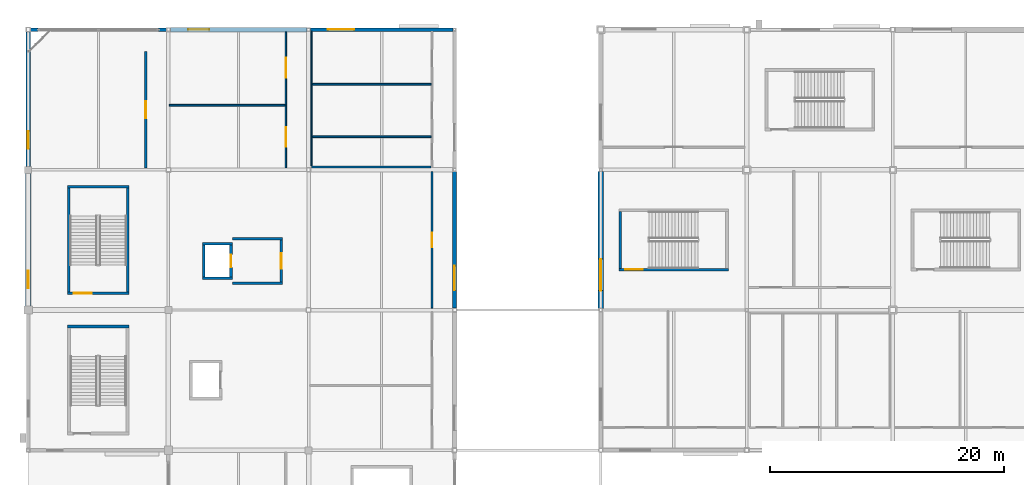
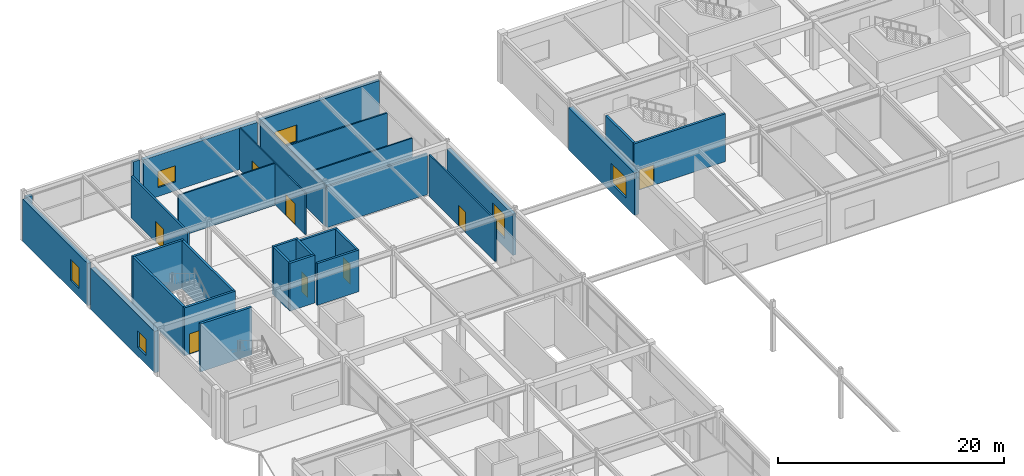
# One storey, part 80 of 105: 30 walls, 8 doors, 6 windows, 14 openings.
"""IFC4 building model written with IfcOpenShell, lengths in metres."""

import ifcopenshell
import ifcopenshell.guid

model = None  # the IFC model being written
_history = None  # IfcOwnerHistory: only IFC2X3 demands one
_inside = {}  # id of a spatial element -> (the spatial element, [elements in it])
_under = {}  # id of a project, library or spatial element -> (it, [spatial elements below it])
_declared = {}  # id of a project -> (the project, [libraries it declares])
_typed = {}  # id of a type object -> (the type object, [elements of that type])
_made_of = {}  # id of a material, layer set ... -> (it, [elements and type objects made of it])


def new_model(schema):
    """Start an empty IFC model of exactly this schema.

    Asked for "IFC4X3", IfcOpenShell would pick the latest addendum, in which some entities
    have other attributes; the version numbers below select the first issue.
    IFC2X3 requires an IfcOwnerHistory on every rooted entity: one is made here for all.
    """
    global model, _history
    if schema == "IFC4X3":
        model = ifcopenshell.file(schema_version=(4, 3, 0, 0))
    else:
        model = ifcopenshell.file(schema=schema)
    _inside.clear()
    _under.clear()
    _declared.clear()
    _typed.clear()
    _made_of.clear()
    _history = None
    if model.schema == "IFC2X3":
        org = make("IfcOrganization", Name="unknown")
        user = make(
            "IfcPersonAndOrganization",
            ThePerson=make("IfcPerson", FamilyName="unknown"),
            TheOrganization=org,
        )
        app = make(
            "IfcApplication",
            ApplicationDeveloper=org,
            Version="unknown",
            ApplicationFullName="unknown",
            ApplicationIdentifier="unknown",
        )
        _history = make(
            "IfcOwnerHistory",
            OwningUser=user,
            OwningApplication=app,
            ChangeAction="ADDED",
            CreationDate=0,
        )
    return model


def make(cls, **values):
    """One entity of the class cls with the attributes given. An attribute that is None is left unset."""
    return model.create_entity(
        cls, **{name: value for name, value in values.items() if value is not None}
    )


def rooted(cls, **values):
    """An entity with a GlobalId (a new one), such as an element, a storey or a relation."""
    return make(cls, GlobalId=ifcopenshell.guid.new(), OwnerHistory=_history, **values)


def si_unit(unit_type, name, prefix=None):
    """IfcSIUnit, for example si_unit("LENGTHUNIT", "METRE", prefix="MILLI")."""
    return make("IfcSIUnit", UnitType=unit_type, Prefix=prefix, Name=name)


def assignment(units):
    """IfcUnitAssignment: the units of a project."""
    return None if units is None else make("IfcUnitAssignment", Units=units)


def point(xyz):
    """IfcCartesianPoint."""
    return None if xyz is None else make("IfcCartesianPoint", Coordinates=xyz)


def direction(xyz):
    """IfcDirection."""
    return None if xyz is None else make("IfcDirection", DirectionRatios=xyz)


def frame(location, z_axis=None, x_axis=None):
    """IfcAxis2Placement3D, a coordinate frame: its origin and axes. An axis left out is left unset."""
    return make(
        "IfcAxis2Placement3D",
        Location=point(location),
        Axis=direction(z_axis),
        RefDirection=direction(x_axis),
    )


def frame_2d(location, x_axis=None):
    """IfcAxis2Placement2D, a coordinate frame in the plane: its origin and x axis."""
    return make(
        "IfcAxis2Placement2D", Location=point(location), RefDirection=direction(x_axis)
    )


def origin():
    """The frame at (0, 0, 0) with its axes left unset."""
    return frame((0.0, 0.0, 0.0))


def place(relative_to, where):
    """IfcLocalPlacement: puts the frame where relative to a parent placement (None: the world)."""
    return make(
        "IfcLocalPlacement", PlacementRelTo=relative_to, RelativePlacement=where
    )


def context(
    kind, dimensions, precision=None, world=None, true_north=None, identifier=None
):
    """IfcGeometricRepresentationContext, for example the 3D "Model" context."""
    return make(
        "IfcGeometricRepresentationContext",
        ContextIdentifier=identifier,
        ContextType=kind,
        CoordinateSpaceDimension=dimensions,
        Precision=precision,
        WorldCoordinateSystem=world,
        TrueNorth=true_north,
    )


def subcontext(parent, identifier, kind, view, scale=None):
    """IfcGeometricRepresentationSubContext, for example "Body" below "Model"."""
    return make(
        "IfcGeometricRepresentationSubContext",
        ContextIdentifier=identifier,
        ContextType=kind,
        ParentContext=parent,
        TargetScale=scale,
        TargetView=view,
    )


def project(units=None, contexts=None):
    """IfcProject with its units and contexts."""
    return rooted(
        "IfcProject",
        Name="project",
        RepresentationContexts=contexts,
        UnitsInContext=assignment(units),
    )


def spatial(cls, under=None, at=None, **own):
    """A site, building, storey or space (cls), placed at a placement, below another one or the project."""
    s = rooted(cls, ObjectPlacement=at, **own)
    if under is not None:
        _under.setdefault(under.id(), (under, []))[1].append(s)
    return s


def profile(cls, at=None, kind="AREA", **sizes):
    """A parametric profile (cls). Its sizes go by their IFC names, for example OverallWidth=200.0."""
    return make(cls, ProfileType=kind, Position=at, **sizes)


def rectangle(**sizes):
    """IfcRectangleProfileDef."""
    return profile("IfcRectangleProfileDef", **sizes)


def extrude(swept, where, along, depth):
    """IfcExtrudedAreaSolid: the profile swept, set in the frame where, extruded along a direction by depth."""
    return make(
        "IfcExtrudedAreaSolid",
        SweptArea=swept,
        Position=where,
        ExtrudedDirection=direction(along),
        Depth=depth,
    )


def shape(context_of_items, identifier, shape_type, items):
    """IfcShapeRepresentation: the items that make up one representation, for example the "Body"."""
    return make(
        "IfcShapeRepresentation",
        ContextOfItems=context_of_items,
        RepresentationIdentifier=identifier,
        RepresentationType=shape_type,
        Items=items,
    )


def material(Name=None, Category=None):
    """IfcMaterial."""
    return make("IfcMaterial", Name=Name, Category=Category)


def layer(
    of_material, thickness, ventilated=None, Name=None, Category=None, Priority=None
):
    """IfcMaterialLayer: one layer of a wall or slab, of a material (None: an air gap)."""
    return make(
        "IfcMaterialLayer",
        Material=of_material,
        LayerThickness=thickness,
        IsVentilated=ventilated,
        Name=Name,
        Category=Category,
        Priority=Priority,
    )


def layer_set(layers, Name=None):
    """IfcMaterialLayerSet."""
    return make("IfcMaterialLayerSet", MaterialLayers=layers, LayerSetName=Name)


def made_of(thing, what):
    """Note that an element or type object is made of a material, layer set ...; save() writes the relation."""
    if what is not None:
        _made_of.setdefault(what.id(), (what, []))[1].append(thing)
    return thing


def type_object(cls, material=None, **own):
    """A type object (cls), such as IfcWallType, which elements share."""
    return made_of(rooted(cls, **own), material)


def element(
    cls,
    number,
    at=None,
    inside=None,
    cuts=None,
    type_object=None,
    material=None,
    context=None,
    identifier="Body",
    shape_type=None,
    held_by="IfcProductDefinitionShape",
    body=None,
    shapes=None,
    **own,
):
    """One element of the class cls, such as IfcWall. Its Tag is "e" and its number.

    at: its placement. inside: the storey or other place that contains it. cuts: it is an
    opening in that element (IfcRelVoidsElement). A single representation is given by context,
    identifier, shape_type and body (its items); several are given by shapes. held_by: the class
    of the entity that holds the representations. save() writes the other relations.
    """
    e = rooted(cls, Tag="e%d" % number, ObjectPlacement=at, **own)
    if body is not None:
        shapes = [shape(context, identifier, shape_type, body)]
    if shapes is not None:
        e.Representation = make(held_by, Representations=shapes)
    if inside is not None:
        _inside.setdefault(inside.id(), (inside, []))[1].append(e)
    if cuts is not None:
        rooted(
            "IfcRelVoidsElement", RelatingBuildingElement=cuts, RelatedOpeningElement=e
        )
    if type_object is not None:
        _typed.setdefault(type_object.id(), (type_object, []))[1].append(e)
    return made_of(e, material)


def fill(opening, filler):
    """IfcRelFillsElement: the door or window that sits in an opening."""
    return rooted(
        "IfcRelFillsElement",
        RelatingOpeningElement=opening,
        RelatedBuildingElement=filler,
    )


def aggregate(whole, parts):
    """IfcRelAggregates: a whole, such as a stair, and the parts it consists of."""
    return rooted("IfcRelAggregates", RelatingObject=whole, RelatedObjects=parts)


def save(model, path):
    """Write the relations noted so far, then the file.

    IfcRelAggregates (storeys below a building ...), IfcRelContainedInSpatialStructure (elements
    in a storey), IfcRelDefinesByType, IfcRelAssociatesMaterial and IfcRelDeclares: one each for
    every whole, place, type object, material and project.
    """
    for whole, parts in _under.values():
        aggregate(whole, parts)
    for where, things in _inside.values():
        rooted(
            "IfcRelContainedInSpatialStructure",
            RelatedElements=things,
            RelatingStructure=where,
        )
    for kind, things in _typed.values():
        rooted("IfcRelDefinesByType", RelatedObjects=things, RelatingType=kind)
    for what, things in _made_of.values():
        rooted("IfcRelAssociatesMaterial", RelatedObjects=things, RelatingMaterial=what)
    for by, libraries in _declared.values():
        rooted("IfcRelDeclares", RelatingContext=by, RelatedDefinitions=libraries)
    model.write(path)


model = new_model("IFC4")

# Units and contexts
model_context = context("Model", 3, precision=1e-05, world=origin(), true_north=direction((0.0, 1.0)))
body_context = subcontext(model_context, "Body", "Model", "MODEL_VIEW")
ifc_project = project(units=[si_unit("LENGTHUNIT", "METRE"), si_unit("AREAUNIT", "SQUARE_METRE"), si_unit("VOLUMEUNIT", "CUBIC_METRE"), si_unit("PLANEANGLEUNIT", "RADIAN"), si_unit("MASSUNIT", "GRAM", prefix="KILO")], contexts=[model_context])

# Site, building, storey
site_placement = place(None, origin())
site = spatial("IfcSite", under=ifc_project, at=site_placement, CompositionType="ELEMENT")
building_placement = place(site_placement, origin())
building = spatial("IfcBuilding", under=site, at=building_placement, Name="Kazenohara Klinker Stadium", CompositionType="ELEMENT")
storey_placement = place(building_placement, frame((0.0, 0.0, 20.39990234375)))
storey = spatial("IfcBuildingStorey", under=building, at=storey_placement, Name="L04", CompositionType="ELEMENT", Elevation=20.39990234375)

# Wall, opening, door
ifc_material_1 = material(Name="Concrete C40/50", Category="concrete")
ifc_layer_1 = layer(ifc_material_1, 0.22998046875)
ifc_layer_set_1 = layer_set([ifc_layer_1], Name="Concrete C40/50")
wall_type_1 = type_object("IfcWallType", Name="WAL-CORE-230", PredefinedType="SHEAR", material=ifc_layer_set_1)
wall_1_placement = place(storey_placement, frame((3.3701171875, 145.43505859375, 0.0), z_axis=(0.0, 0.0, 1.0), x_axis=(1.0, 0.0, 0.0)))
wall_1 = element("IfcWall", 1, at=wall_1_placement, inside=storey, type_object=wall_type_1, Name="Stairwell shear wall ST06 L04 South", PredefinedType="SHEAR", context=body_context, shape_type="SweptSolid", body=[
    extrude(rectangle(XDim=5.259765625, YDim=0.22998046875, at=frame_2d((2.6298828125, 0.0))), origin(), (0.0, 0.0, 1.0), 5.18017578125),
])
opening_1_placement = place(wall_1_placement, frame((0.550048828125, 0.0, 0.0)))
opening_1 = element("IfcOpeningElement", 2, at=opening_1_placement, cuts=wall_1, Name="Opening SD02", PredefinedType="OPENING", context=body_context, shape_type="SweptSolid", body=[
    extrude(rectangle(XDim=1.5, YDim=2.199951171875, at=frame_2d((0.75, 1.10009765625))), frame((0.0, 0.125, 0.0), z_axis=(0.0, -1.0, 0.0), x_axis=(1.0, 0.0, 0.0)), (0.0, 0.0, 1.0), 0.25),
])
ifc_material_2 = material(Name="Flush painted steel fire door leaf", Category="steel")
door_type_1 = type_object("IfcDoorType", Name="DR-STR-1500x2200", OperationType="NOTDEFINED", PredefinedType="DOOR", material=ifc_material_2)
door_1_placement = place(opening_1_placement, origin())
door_1 = element("IfcDoor", 3, at=door_1_placement, inside=storey, type_object=door_type_1, Name="Escape stairwell fire door ST06-L04", OperationType="SINGLE_SWING_LEFT", OverallHeight=2.199951171875, OverallWidth=1.5, PredefinedType="DOOR", context=body_context, shape_type="SweptSolid", body=[
    extrude(rectangle(XDim=1.5, YDim=2.199951171875, at=frame_2d((0.75, 1.10009765625))), frame((0.0, 0.02490234375, 0.0), z_axis=(0.0, -1.0, 0.0), x_axis=(1.0, 0.0, 0.0)), (0.0, 0.0, 1.0), 0.050048828125),
])
fill(opening_1, door_1)

# Walls
wall_2_placement = place(storey_placement, frame((3.3701171875, 154.56494140625, 0.0), z_axis=(0.0, 0.0, 1.0), x_axis=(1.0, 0.0, 0.0)))
element("IfcWall", 4, at=wall_2_placement, inside=storey, type_object=wall_type_1, Name="Stairwell shear wall ST06 L04 North", PredefinedType="SHEAR", context=body_context, shape_type="SweptSolid", body=[
    extrude(rectangle(XDim=5.259765625, YDim=0.22998046875, at=frame_2d((2.6298828125, 0.0))), origin(), (0.0, 0.0, 1.0), 5.18017578125),
])
for number, where, z_axis, x_axis, name in (
    (5, (3.485107421875, 145.550048828125, 0.0), (0.0, 0.0, 1.0), (0.0, 1.0, 0.0), "Stairwell shear wall ST06 L04 West"),
    (6, (8.514892578125, 145.550048828125, 0.0), (0.0, 0.0, 1.0), (0.0, 1.0, 0.0), "Stairwell shear wall ST06 L04 East"),
):
    element("IfcWall", number, at=place(storey_placement, frame(where, z_axis=z_axis, x_axis=x_axis)), inside=storey, type_object=wall_type_1, Name=name, PredefinedType="SHEAR", context=body_context, shape_type="SweptSolid", body=[
        extrude(rectangle(XDim=8.89990234375, YDim=0.22998046875, at=frame_2d((4.449951171875, 0.0))), origin(), (0.0, 0.0, 1.0), 5.18017578125),
    ])

# Wall, opening, door
wall_3_placement = place(storey_placement, frame((50.570068359375, 147.455078125, 0.0), z_axis=(0.0, 0.0, 1.0), x_axis=(1.0, 0.0, 0.0)))
wall_3 = element("IfcWall", 7, at=wall_3_placement, inside=storey, type_object=wall_type_1, Name="Stairwell shear wall ST08 L04 South", PredefinedType="SHEAR", context=body_context, shape_type="SweptSolid", body=[
    extrude(rectangle(XDim=9.35986328125, YDim=0.22998046875, at=frame_2d((4.679931640625, 0.0))), origin(), (0.0, 0.0, 1.0), 5.18017578125),
])
opening_2_placement = place(wall_3_placement, frame((0.550048828125, 0.0, 0.0)))
opening_2 = element("IfcOpeningElement", 8, at=opening_2_placement, cuts=wall_3, Name="Opening SD02", PredefinedType="OPENING", context=body_context, shape_type="SweptSolid", body=[
    extrude(rectangle(XDim=1.5, YDim=2.199951171875, at=frame_2d((0.75, 1.10009765625))), frame((0.0, 0.125, 0.0), z_axis=(0.0, -1.0, 0.0), x_axis=(1.0, 0.0, 0.0)), (0.0, 0.0, 1.0), 0.25),
])
door_2_placement = place(opening_2_placement, origin())
door_2 = element("IfcDoor", 9, at=door_2_placement, inside=storey, type_object=door_type_1, Name="Escape stairwell fire door ST08-L04", OperationType="SINGLE_SWING_LEFT", OverallHeight=2.199951171875, OverallWidth=1.5, PredefinedType="DOOR", context=body_context, shape_type="SweptSolid", body=[
    extrude(rectangle(XDim=1.5, YDim=2.199951171875, at=frame_2d((0.75, 1.10009765625))), frame((0.0, 0.02490234375, 0.0), z_axis=(0.0, -1.0, 0.0), x_axis=(1.0, 0.0, 0.0)), (0.0, 0.0, 1.0), 0.050048828125),
])
fill(opening_2, door_2)

# Walls
wall_4_placement = place(storey_placement, frame((50.68505859375, 147.570068359375, 0.0), z_axis=(0.0, 0.0, 1.0), x_axis=(0.0, 1.0, 0.0)))
element("IfcWall", 10, at=wall_4_placement, inside=storey, type_object=wall_type_1, Name="Stairwell shear wall ST08 L04 West", PredefinedType="SHEAR", context=body_context, shape_type="SweptSolid", body=[
    extrude(rectangle(XDim=4.85986328125, YDim=0.22998046875, at=frame_2d((2.429931640625, 0.0))), origin(), (0.0, 0.0, 1.0), 5.18017578125),
])
for number, where, z_axis, x_axis, name in (
    (11, (14.919921875, 146.735107421875, 0.0), (0.0, 0.0, 1.0), (1.0, 0.0, 0.0), "Elevator shaft wall LF03 L04 South"),
    (12, (14.919921875, 149.6650390625, 0.0), (0.0, 0.0, 1.0), (1.0, 0.0, 0.0), "Elevator shaft wall LF03 L04 North"),
):
    element("IfcWall", number, at=place(storey_placement, frame(where, z_axis=z_axis, x_axis=x_axis)), inside=storey, type_object=wall_type_1, Name=name, PredefinedType="SHEAR", context=body_context, shape_type="SweptSolid", body=[
        extrude(rectangle(XDim=2.56005859375, YDim=0.22998046875, at=frame_2d((1.280029296875, 0.0))), origin(), (0.0, 0.0, 1.0), 5.18017578125),
    ])
wall_5_placement = place(storey_placement, frame((15.034912109375, 146.85009765625, 0.0), z_axis=(0.0, 0.0, 1.0), x_axis=(0.0, 1.0, 0.0)))
element("IfcWall", 13, at=wall_5_placement, inside=storey, type_object=wall_type_1, Name="Elevator shaft wall LF03 L04 West", PredefinedType="SHEAR", context=body_context, shape_type="SweptSolid", body=[
    extrude(rectangle(XDim=2.699951171875, YDim=0.22998046875, at=frame_2d((1.35009765625, 0.0))), origin(), (0.0, 0.0, 1.0), 5.18017578125),
])

# Wall, opening, door
wall_6_placement = place(storey_placement, frame((17.364990234375, 146.85009765625, 0.0), z_axis=(0.0, 0.0, 1.0), x_axis=(0.0, 1.0, 0.0)))
wall_6 = element("IfcWall", 14, at=wall_6_placement, inside=storey, type_object=wall_type_1, Name="Elevator shaft wall LF03 L04 East", PredefinedType="SHEAR", context=body_context, shape_type="SweptSolid", body=[
    extrude(rectangle(XDim=2.699951171875, YDim=0.22998046875, at=frame_2d((1.35009765625, 0.0))), origin(), (0.0, 0.0, 1.0), 5.18017578125),
])
opening_3_placement = place(wall_6_placement, frame((0.800048828125, 0.0, 0.0)))
opening_3 = element("IfcOpeningElement", 15, at=opening_3_placement, cuts=wall_6, Name="Opening LD01", PredefinedType="OPENING", context=body_context, shape_type="SweptSolid", body=[
    extrude(rectangle(XDim=1.10009765625, YDim=2.14990234375, at=frame_2d((0.550048828125, 1.074951171875))), frame((0.0, 0.125, 0.0), z_axis=(0.0, -1.0, 0.0), x_axis=(1.0, 0.0, 0.0)), (0.0, 0.0, 1.0), 0.25),
])
ifc_material_3 = material(Name="Stainless steel fire-rated sliding landing door", Category="steel")
door_type_2 = type_object("IfcDoorType", Name="DR-LD01-1100x2150", OperationType="NOTDEFINED", PredefinedType="DOOR", material=ifc_material_3)
door_3_placement = place(opening_3_placement, origin())
door_3 = element("IfcDoor", 16, at=door_3_placement, inside=storey, type_object=door_type_2, Name="Elevator sliding landing door LF03-L04", OperationType="DOUBLE_DOOR_SLIDING", OverallHeight=2.14990234375, OverallWidth=1.10009765625, PredefinedType="DOOR", context=body_context, shape_type="SweptSolid", body=[
    extrude(rectangle(XDim=1.10009765625, YDim=2.14990234375, at=frame_2d((0.550048828125, 1.074951171875))), frame((0.0, 0.02490234375, 0.0), z_axis=(0.0, -1.0, 0.0), x_axis=(1.0, 0.0, 0.0)), (0.0, 0.0, 1.0), 0.050048828125),
])
fill(opening_3, door_3)

# Walls
ifc_layer_2 = layer(ifc_material_1, 0.25)
ifc_layer_set_2 = layer_set([ifc_layer_2], Name="Concrete C40/50")
wall_type_2 = type_object("IfcWallType", Name="WAL-CORE-250", PredefinedType="SHEAR", material=ifc_layer_set_2)
wall_7_placement = place(storey_placement, frame((3.360107421875, 142.574951171875, 0.0), z_axis=(0.0, 0.0, 1.0), x_axis=(1.0, 0.0, 0.0)))
element("IfcWall", 17, at=wall_7_placement, inside=storey, type_object=wall_type_2, Name="Stairwell shear wall ST05 L04 North", PredefinedType="SHEAR", context=body_context, shape_type="SweptSolid", body=[
    extrude(rectangle(XDim=5.27978515625, YDim=0.25, at=frame_2d((2.639892578125, 0.0))), origin(), (0.0, 0.0, 1.0), 5.18017578125),
])
ifc_material_4 = material(Name="Clinker brick masonry", Category="masonry")
ifc_layer_3 = layer(ifc_material_4, 0.31005859375)
ifc_layer_set_3 = layer_set([ifc_layer_3], Name="Clinker brick masonry")
wall_type_3 = type_object("IfcWallType", Name="WAL-EXT-CB310", PredefinedType="SOLIDWALL", material=ifc_layer_set_3)
wall_8_placement = place(storey_placement, frame((0.2041015625, 168.0, 0.0), z_axis=(0.0, 0.0, 1.0), x_axis=(1.0, 0.0, 0.0)))
element("IfcWall", 18, at=wall_8_placement, inside=storey, type_object=wall_type_3, Name="Clinker brick curtain-wall jamb pier L04 X0-14 A", PredefinedType="SOLIDWALL", context=body_context, shape_type="SweptSolid", body=[
    extrude(rectangle(XDim=0.64990234375, YDim=0.31005859375, at=frame_2d((0.324951171875, 0.0))), origin(), (0.0, 0.0, 1.0), 4.592041015625),
])
wall_9_placement = place(storey_placement, frame((11.1708984375, 168.0, 0.0), z_axis=(0.0, 0.0, 1.0), x_axis=(1.0, 0.0, 0.0)))
element("IfcWall", 19, at=wall_9_placement, inside=storey, type_object=wall_type_3, Name="Clinker brick curtain-wall jamb pier L04 X0-14 B", PredefinedType="SOLIDWALL", context=body_context, shape_type="SweptSolid", body=[
    extrude(rectangle(XDim=0.650146484375, YDim=0.31005859375, at=frame_2d((0.3251953125, 0.0))), origin(), (0.0, 0.0, 1.0), 4.592041015625),
])

# Wall, opening, window
wall_10_placement = place(storey_placement, frame((24.154052734375, 168.0, 0.0), z_axis=(0.0, 0.0, 1.0), x_axis=(1.0, 0.0, 0.0)))
wall_10 = element("IfcWall", 20, at=wall_10_placement, inside=storey, type_object=wall_type_3, Name="Clinker brick cavity wall EW05 L04 X2-14", PredefinedType="SOLIDWALL", context=body_context, shape_type="SweptSolid", body=[
    extrude(rectangle(XDim=12.217041015625, YDim=0.31005859375, at=frame_2d((6.1083984375, 0.0))), origin(), (0.0, 0.0, 1.0), 4.580078125),
])
opening_4_placement = place(wall_10_placement, frame((1.5, 0.0, 0.949951171875)))
opening_4 = element("IfcOpeningElement", 21, at=opening_4_placement, cuts=wall_10, Name="Opening W21", PredefinedType="OPENING", context=body_context, shape_type="SweptSolid", body=[
    extrude(rectangle(XDim=2.25, YDim=1.800048828125, at=frame_2d((1.125, 0.89990234375))), frame((0.0, 0.1650390625, 0.0), z_axis=(0.0, -1.0, 0.0), x_axis=(1.0, 0.0, 0.0)), (0.0, 0.0, 1.0), 0.330078125),
])
ifc_material_5 = material(Name="Dark bronze aluminium frame and triple glazing", Category="aluminium")
window_type_1 = type_object("IfcWindowType", Name="WIN-AS-21", PartitioningType="SINGLE_PANEL", PredefinedType="WINDOW", material=ifc_material_5)
window_1_placement = place(opening_4_placement, origin())
window_1 = element("IfcWindow", 22, at=window_1_placement, inside=storey, type_object=window_type_1, Name="Horizontal-mullion ladder window W21 L04 X2-14", OverallHeight=1.800048828125, OverallWidth=2.25, PartitioningType="SINGLE_PANEL", PredefinedType="WINDOW", context=body_context, shape_type="SweptSolid", body=[
    extrude(rectangle(XDim=2.25, YDim=1.800048828125, at=frame_2d((1.125, 0.89990234375))), frame((0.0, 0.030029296875, 0.0), z_axis=(0.0, -1.0, 0.0), x_axis=(1.0, 0.0, 0.0)), (0.0, 0.0, 1.0), 0.06005859375),
])
fill(opening_4, window_1)

ifc_layer_4 = layer(ifc_material_4, 0.340087890625)
ifc_layer_set_4 = layer_set([ifc_layer_4], Name="Clinker brick masonry")
wall_type_4 = type_object("IfcWallType", Name="WAL-EXT-CB340", PredefinedType="SOLIDWALL", material=ifc_layer_set_4)
wall_11_placement = place(storey_placement, frame((36.5, 144.178955078125, 0.0), z_axis=(0.0, 0.0, 1.0), x_axis=(0.0, 1.0, 0.0)))
wall_11 = element("IfcWall", 23, at=wall_11_placement, inside=storey, type_object=wall_type_4, Name="Clinker brick cavity wall EW04 L04 Y3-12", PredefinedType="SOLIDWALL", context=body_context, shape_type="SweptSolid", body=[
    extrude(rectangle(XDim=11.6669921875, YDim=0.340087890625, at=frame_2d((5.83349609375, 0.0))), origin(), (0.0, 0.0, 1.0), 4.47998046875),
])
opening_5_placement = place(wall_11_placement, frame((1.5, 0.0, 0.949951171875)))
opening_5 = element("IfcOpeningElement", 24, at=opening_5_placement, cuts=wall_11, Name="Opening W20", PredefinedType="OPENING", context=body_context, shape_type="SweptSolid", body=[
    extrude(rectangle(XDim=2.10009765625, YDim=2.60009765625, at=frame_2d((1.050048828125, 1.300048828125))), frame((0.0, 0.18017578125, 0.0), z_axis=(0.0, -1.0, 0.0), x_axis=(1.0, 0.0, 0.0)), (0.0, 0.0, 1.0), 0.360107421875),
])
window_type_2 = type_object("IfcWindowType", Name="WIN-AS-20", PartitioningType="SINGLE_PANEL", PredefinedType="WINDOW", material=ifc_material_5)
window_2_placement = place(opening_5_placement, origin())
window_2 = element("IfcWindow", 25, at=window_2_placement, inside=storey, type_object=window_type_2, Name="Horizontal-mullion ladder window W20 L04 Y3-12", OverallHeight=2.60009765625, OverallWidth=2.10009765625, PartitioningType="SINGLE_PANEL", PredefinedType="WINDOW", context=body_context, shape_type="SweptSolid", body=[
    extrude(rectangle(XDim=2.10009765625, YDim=2.60009765625, at=frame_2d((1.050048828125, 1.300048828125))), frame((0.0, 0.030029296875, 0.0), z_axis=(0.0, -1.0, 0.0), x_axis=(1.0, 0.0, 0.0)), (0.0, 0.0, 1.0), 0.06005859375),
])
fill(opening_5, window_2)

ifc_layer_5 = layer(ifc_material_4, 0.3701171875)
ifc_layer_set_5 = layer_set([ifc_layer_5], Name="Clinker brick masonry")
wall_type_5 = type_object("IfcWallType", Name="WAL-EXT-CB370", PredefinedType="SOLIDWALL", material=ifc_layer_set_5)
wall_12_placement = place(storey_placement, frame((0.0, 156.303955078125, 0.0), z_axis=(0.0, 0.0, 1.0), x_axis=(0.0, 1.0, 0.0)))
wall_12 = element("IfcWall", 26, at=wall_12_placement, inside=storey, type_object=wall_type_5, Name="Clinker brick cavity wall EW03 L04 Y0-13", PredefinedType="SOLIDWALL", context=body_context, shape_type="SweptSolid", body=[
    extrude(rectangle(XDim=11.491943359375, YDim=0.3701171875, at=frame_2d((5.74609375, 0.0))), origin(), (0.0, 0.0, 1.0), 4.580078125),
])
opening_6_placement = place(wall_12_placement, frame((1.5, 0.0, 0.949951171875)))
opening_6 = element("IfcOpeningElement", 27, at=opening_6_placement, cuts=wall_12, Name="Opening W10", PredefinedType="OPENING", context=body_context, shape_type="SweptSolid", body=[
    extrude(rectangle(XDim=1.5, YDim=2.25, at=frame_2d((0.75, 1.125))), frame((0.0, 0.195068359375, 0.0), z_axis=(0.0, -1.0, 0.0), x_axis=(1.0, 0.0, 0.0)), (0.0, 0.0, 1.0), 0.39013671875),
])
window_type_3 = type_object("IfcWindowType", Name="WIN-AS-10", PartitioningType="SINGLE_PANEL", PredefinedType="WINDOW", material=ifc_material_5)
window_3_placement = place(opening_6_placement, origin())
window_3 = element("IfcWindow", 28, at=window_3_placement, inside=storey, type_object=window_type_3, Name="Horizontal-mullion ladder window W10 L04 Y0-13", OverallHeight=2.25, OverallWidth=1.5, PartitioningType="SINGLE_PANEL", PredefinedType="WINDOW", context=body_context, shape_type="SweptSolid", body=[
    extrude(rectangle(XDim=1.5, YDim=2.25, at=frame_2d((0.75, 1.125))), frame((0.0, 0.030029296875, 0.0), z_axis=(0.0, -1.0, 0.0), x_axis=(1.0, 0.0, 0.0)), (0.0, 0.0, 1.0), 0.06005859375),
])
fill(opening_6, window_3)

wall_13_placement = place(storey_placement, frame((12.178955078125, 168.0, 0.0), z_axis=(0.0, 0.0, 1.0), x_axis=(1.0, 0.0, 0.0)))
wall_13 = element("IfcWall", 29, at=wall_13_placement, inside=storey, type_object=wall_type_5, Name="Clinker brick cavity wall EW03 L04 X1-14", PredefinedType="SOLIDWALL", context=body_context, shape_type="SweptSolid", body=[
    extrude(rectangle(XDim=11.6669921875, YDim=0.3701171875, at=frame_2d((5.83349609375, 0.0))), origin(), (0.0, 0.0, 1.0), 4.47998046875),
])
opening_7_placement = place(wall_13_placement, frame((1.5, 0.0, 0.949951171875)))
opening_7 = element("IfcOpeningElement", 30, at=opening_7_placement, cuts=wall_13, Name="Opening W13", PredefinedType="OPENING", context=body_context, shape_type="SweptSolid", body=[
    extrude(rectangle(XDim=1.800048828125, YDim=1.75, at=frame_2d((0.89990234375, 0.875))), frame((0.0, 0.195068359375, 0.0), z_axis=(0.0, -1.0, 0.0), x_axis=(1.0, 0.0, 0.0)), (0.0, 0.0, 1.0), 0.39013671875),
])
window_type_4 = type_object("IfcWindowType", Name="WIN-AS-13", PartitioningType="SINGLE_PANEL", PredefinedType="WINDOW", material=ifc_material_5)
window_4_placement = place(opening_7_placement, origin())
window_4 = element("IfcWindow", 31, at=window_4_placement, inside=storey, type_object=window_type_4, Name="Horizontal-mullion ladder window W13 L04 X1-14", OverallHeight=1.75, OverallWidth=1.800048828125, PartitioningType="SINGLE_PANEL", PredefinedType="WINDOW", context=body_context, shape_type="SweptSolid", body=[
    extrude(rectangle(XDim=1.800048828125, YDim=1.75, at=frame_2d((0.89990234375, 0.875))), frame((0.0, 0.030029296875, 0.0), z_axis=(0.0, -1.0, 0.0), x_axis=(1.0, 0.0, 0.0)), (0.0, 0.0, 1.0), 0.06005859375),
])
fill(opening_7, window_4)

ifc_layer_6 = layer(ifc_material_4, 0.449951171875)
ifc_layer_set_6 = layer_set([ifc_layer_6], Name="Clinker brick masonry")
wall_type_6 = type_object("IfcWallType", Name="WAL-EXT-CB450", PredefinedType="SOLIDWALL", material=ifc_layer_set_6)
wall_14_placement = place(storey_placement, frame((0.0, 144.35400390625, 0.0), z_axis=(0.0, 0.0, 1.0), x_axis=(0.0, 1.0, 0.0)))
wall_14 = element("IfcWall", 32, at=wall_14_placement, inside=storey, type_object=wall_type_6, Name="Clinker brick cavity wall EW01 L04 Y0-12", PredefinedType="SOLIDWALL", context=body_context, shape_type="SweptSolid", body=[
    extrude(rectangle(XDim=11.342041015625, YDim=0.449951171875, at=frame_2d((5.6708984375, 0.0))), origin(), (0.0, 0.0, 1.0), 4.47998046875),
])
opening_8_placement = place(wall_14_placement, frame((1.5, 0.0, 0.949951171875)))
opening_8 = element("IfcOpeningElement", 33, at=opening_8_placement, cuts=wall_14, Name="Opening W09", PredefinedType="OPENING", context=body_context, shape_type="SweptSolid", body=[
    extrude(rectangle(XDim=1.5, YDim=1.800048828125, at=frame_2d((0.75, 0.89990234375))), frame((0.0, 0.23486328125, 0.0), z_axis=(0.0, -1.0, 0.0), x_axis=(1.0, 0.0, 0.0)), (0.0, 0.0, 1.0), 0.469970703125),
])
window_type_5 = type_object("IfcWindowType", Name="WIN-AS-09", PartitioningType="SINGLE_PANEL", PredefinedType="WINDOW", material=ifc_material_5)
window_5_placement = place(opening_8_placement, origin())
window_5 = element("IfcWindow", 34, at=window_5_placement, inside=storey, type_object=window_type_5, Name="Horizontal-mullion ladder window W09 L04 Y0-12", OverallHeight=1.800048828125, OverallWidth=1.5, PartitioningType="SINGLE_PANEL", PredefinedType="WINDOW", context=body_context, shape_type="SweptSolid", body=[
    extrude(rectangle(XDim=1.5, YDim=1.800048828125, at=frame_2d((0.75, 0.89990234375))), frame((0.0, 0.030029296875, 0.0), z_axis=(0.0, -1.0, 0.0), x_axis=(1.0, 0.0, 0.0)), (0.0, 0.0, 1.0), 0.06005859375),
])
fill(opening_8, window_5)

wall_15_placement = place(storey_placement, frame((49.0, 144.154052734375, 0.0), z_axis=(0.0, 0.0, 1.0), x_axis=(0.0, 1.0, 0.0)))
wall_15 = element("IfcWall", 35, at=wall_15_placement, inside=storey, type_object=wall_type_6, Name="Clinker brick cavity wall EW01 L04 Y4-12", PredefinedType="SOLIDWALL", context=body_context, shape_type="SweptSolid", body=[
    extrude(rectangle(XDim=11.717041015625, YDim=0.449951171875, at=frame_2d((5.8583984375, 0.0))), origin(), (0.0, 0.0, 1.0), 4.580078125),
])
opening_9_placement = place(wall_15_placement, frame((1.5, 0.0, 0.949951171875)))
opening_9 = element("IfcOpeningElement", 36, at=opening_9_placement, cuts=wall_15, Name="Opening W28", PredefinedType="OPENING", context=body_context, shape_type="SweptSolid", body=[
    extrude(rectangle(XDim=2.699951171875, YDim=2.199951171875, at=frame_2d((1.35009765625, 1.10009765625))), frame((0.0, 0.23486328125, 0.0), z_axis=(0.0, -1.0, 0.0), x_axis=(1.0, 0.0, 0.0)), (0.0, 0.0, 1.0), 0.469970703125),
])
window_type_6 = type_object("IfcWindowType", Name="WIN-AS-28", PartitioningType="SINGLE_PANEL", PredefinedType="WINDOW", material=ifc_material_5)
window_6_placement = place(opening_9_placement, origin())
window_6 = element("IfcWindow", 37, at=window_6_placement, inside=storey, type_object=window_type_6, Name="Horizontal-mullion ladder window W28 L04 Y4-12", OverallHeight=2.199951171875, OverallWidth=2.699951171875, PartitioningType="SINGLE_PANEL", PredefinedType="WINDOW", context=body_context, shape_type="SweptSolid", body=[
    extrude(rectangle(XDim=2.699951171875, YDim=2.199951171875, at=frame_2d((1.35009765625, 1.10009765625))), frame((0.0, 0.030029296875, 0.0), z_axis=(0.0, -1.0, 0.0), x_axis=(1.0, 0.0, 0.0)), (0.0, 0.0, 1.0), 0.06005859375),
])
fill(opening_9, window_6)

# Walls
ifc_layer_7 = layer(ifc_material_1, 0.219970703125)
ifc_layer_set_7 = layer_set([ifc_layer_7], Name="Concrete C40/50")
wall_type_7 = type_object("IfcWallType", Name="WAL-INT-FF220", PredefinedType="SOLIDWALL", material=ifc_layer_set_7)
for number, where, z_axis, x_axis, name in (
    (38, (17.47998046875, 146.2900390625, 0.0), (0.0, 0.0, 1.0), (1.0, 0.0, 0.0), "Firefighting lobby wall LF03 L04 South"),
    (39, (17.47998046875, 150.110107421875, 0.0), (0.0, 0.0, 1.0), (1.0, 0.0, 0.0), "Firefighting lobby wall LF03 L04 North"),
):
    element("IfcWall", number, at=place(storey_placement, frame(where, z_axis=z_axis, x_axis=x_axis)), inside=storey, type_object=wall_type_7, Name=name, PredefinedType="SOLIDWALL", context=body_context, shape_type="SweptSolid", body=[
        extrude(rectangle(XDim=4.2900390625, YDim=0.219970703125, at=frame_2d((2.14501953125, 0.0))), origin(), (0.0, 0.0, 1.0), 4.52001953125),
    ])

# Wall, opening, door
wall_16_placement = place(storey_placement, frame((21.659912109375, 146.39990234375, 0.0), z_axis=(0.0, 0.0, 1.0), x_axis=(0.0, 1.0, 0.0)))
wall_16 = element("IfcWall", 40, at=wall_16_placement, inside=storey, type_object=wall_type_7, Name="Firefighting lobby front wall LF03 L04", PredefinedType="SOLIDWALL", context=body_context, shape_type="SweptSolid", body=[
    extrude(rectangle(XDim=3.60009765625, YDim=0.219970703125, at=frame_2d((1.800048828125, 0.0))), origin(), (0.0, 0.0, 1.0), 4.52001953125),
])
opening_10_placement = place(wall_16_placement, frame((1.14990234375, 0.0, 0.0)))
opening_10 = element("IfcOpeningElement", 41, at=opening_10_placement, cuts=wall_16, Name="Opening FD01", PredefinedType="OPENING", context=body_context, shape_type="SweptSolid", body=[
    extrude(rectangle(XDim=1.300048828125, YDim=2.14990234375, at=frame_2d((0.64990234375, 1.074951171875))), frame((0.0, 0.1201171875, 0.0), z_axis=(0.0, -1.0, 0.0), x_axis=(1.0, 0.0, 0.0)), (0.0, 0.0, 1.0), 0.239990234375),
])
ifc_material_6 = material(Name="Smoke-sealed steel fire lobby door", Category="steel")
door_type_3 = type_object("IfcDoorType", Name="DR-FFL-1300x2150", OperationType="NOTDEFINED", PredefinedType="DOOR", material=ifc_material_6)
door_4_placement = place(opening_10_placement, origin())
door_4 = element("IfcDoor", 42, at=door_4_placement, inside=storey, type_object=door_type_3, Name="Firefighting lobby smoke-sealed door LF03-L04", OperationType="SINGLE_SWING_RIGHT", OverallHeight=2.14990234375, OverallWidth=1.300048828125, PredefinedType="DOOR", context=body_context, shape_type="SweptSolid", body=[
    extrude(rectangle(XDim=1.300048828125, YDim=2.14990234375, at=frame_2d((0.64990234375, 1.074951171875))), frame((0.0, 0.02490234375, 0.0), z_axis=(0.0, -1.0, 0.0), x_axis=(1.0, 0.0, 0.0)), (0.0, 0.0, 1.0), 0.050048828125),
])
fill(opening_10, door_4)

# Wall
ifc_material_7 = material(Name="Fire-rated gypsum board on acoustic studs", Category="gypsum")
ifc_layer_8 = layer(ifc_material_7, 0.110107421875)
ifc_layer_set_8 = layer_set([ifc_layer_8], Name="Fire-rated gypsum board on acoustic studs")
wall_type_8 = type_object("IfcWallType", Name="WAL-INT-P110", PredefinedType="PARTITIONING", material=ifc_layer_set_8)
wall_17_placement = place(storey_placement, frame((24.239990234375, 156.340087890625, 0.0), z_axis=(0.0, 0.0, 1.0), x_axis=(0.0, 1.0, 0.0)))
element("IfcWall", 43, at=wall_17_placement, inside=storey, type_object=wall_type_8, Name="Interior partition wall PT01 SPC-L04-02-13-1-2", PredefinedType="PARTITIONING", context=body_context, shape_type="SweptSolid", body=[
    extrude(rectangle(XDim=11.5029296875, YDim=0.110107421875, at=frame_2d((5.75146484375, 0.0))), origin(), (0.0, 0.0, 1.0), 4.440185546875),
])

# Wall, openings, doors
ifc_layer_9 = layer(ifc_material_7, 0.1201171875)
ifc_layer_set_9 = layer_set([ifc_layer_9], Name="Fire-rated gypsum board on acoustic studs")
wall_type_9 = type_object("IfcWallType", Name="WAL-INT-P120", PredefinedType="PARTITIONING", material=ifc_layer_set_9)
wall_18_placement = place(storey_placement, frame((22.06005859375, 156.159912109375, 0.0), z_axis=(0.0, 0.0, 1.0), x_axis=(0.0, 1.0, 0.0)))
wall_18 = element("IfcWall", 44, at=wall_18_placement, inside=storey, type_object=wall_type_9, Name="Interior partition wall PT02 SPC-L04-01-13-1-1", PredefinedType="PARTITIONING", context=body_context, shape_type="SweptSolid", body=[
    extrude(rectangle(XDim=11.653076171875, YDim=0.1201171875, at=frame_2d((5.82666015625, 0.0))), origin(), (0.0, 0.0, 1.0), 4.52001953125),
])
opening_11_placement = place(wall_18_placement, frame((1.8212890625, 0.0, 0.0)))
opening_11 = element("IfcOpeningElement", 45, at=opening_11_placement, cuts=wall_18, Name="Opening ID24", PredefinedType="OPENING", context=body_context, shape_type="SweptSolid", body=[
    extrude(rectangle(XDim=1.64990234375, YDim=2.280029296875, at=frame_2d((0.824951171875, 1.14013671875))), frame((0.0, 0.070068359375, 0.0), z_axis=(0.0, -1.0, 0.0), x_axis=(1.0, 0.0, 0.0)), (0.0, 0.0, 1.0), 0.14013671875),
])
opening_12_placement = place(wall_18_placement, frame((7.71630859375, 0.0, 0.0)))
opening_12 = element("IfcOpeningElement", 46, at=opening_12_placement, cuts=wall_18, Name="Opening ID25", PredefinedType="OPENING", context=body_context, shape_type="SweptSolid", body=[
    extrude(rectangle(XDim=1.699951171875, YDim=2.320068359375, at=frame_2d((0.85009765625, 1.16015625))), frame((0.0, 0.070068359375, 0.0), z_axis=(0.0, -1.0, 0.0), x_axis=(1.0, 0.0, 0.0)), (0.0, 0.0, 1.0), 0.14013671875),
])
ifc_material_8 = material(Name="Painted steel plant fire door", Category="steel")
door_type_4 = type_object("IfcDoorType", Name="DR-INT-24", OperationType="NOTDEFINED", PredefinedType="DOOR", material=ifc_material_8)
door_5_placement = place(opening_11_placement, origin())
door_5 = element("IfcDoor", 47, at=door_5_placement, inside=storey, type_object=door_type_4, Name="Interior door ID24 Roof Garden Culinary Catering Kitchen L04-0113A", OperationType="SINGLE_SWING_LEFT", OverallHeight=2.280029296875, OverallWidth=1.64990234375, PredefinedType="DOOR", context=body_context, shape_type="SweptSolid", body=[
    extrude(rectangle(XDim=1.64990234375, YDim=2.280029296875, at=frame_2d((0.824951171875, 1.14013671875))), frame((0.0, 0.02490234375, 0.0), z_axis=(0.0, -1.0, 0.0), x_axis=(1.0, 0.0, 0.0)), (0.0, 0.0, 1.0), 0.050048828125),
])
fill(opening_11, door_5)
door_type_5 = type_object("IfcDoorType", Name="DR-INT-25", OperationType="NOTDEFINED", PredefinedType="DOOR", material=ifc_material_8)
door_6_placement = place(opening_12_placement, origin())
door_6 = element("IfcDoor", 48, at=door_6_placement, inside=storey, type_object=door_type_5, Name="Interior door ID25 Presidential Reception Hospitality Salon L04-0113B", OperationType="SINGLE_SWING_RIGHT", OverallHeight=2.320068359375, OverallWidth=1.699951171875, PredefinedType="DOOR", context=body_context, shape_type="SweptSolid", body=[
    extrude(rectangle(XDim=1.699951171875, YDim=2.320068359375, at=frame_2d((0.85009765625, 1.16015625))), frame((0.0, 0.02490234375, 0.0), z_axis=(0.0, -1.0, 0.0), x_axis=(1.0, 0.0, 0.0)), (0.0, 0.0, 1.0), 0.050048828125),
])
fill(opening_12, door_6)

# Walls
ifc_layer_10 = layer(ifc_material_7, 0.139892578125)
ifc_layer_set_10 = layer_set([ifc_layer_10], Name="Fire-rated gypsum board on acoustic studs")
wall_type_10 = type_object("IfcWallType", Name="WAL-INT-P140", PredefinedType="PARTITIONING", material=ifc_layer_set_10)
wall_19_placement = place(storey_placement, frame((12.080078125, 161.53271484375, 0.0), z_axis=(0.0, 0.0, 1.0), x_axis=(1.0, 0.0, 0.0)))
element("IfcWall", 49, at=wall_19_placement, inside=storey, type_object=wall_type_10, Name="Interior partition wall PT03 SPC-L04-01-13-1-2", PredefinedType="PARTITIONING", context=body_context, shape_type="SweptSolid", body=[
    extrude(rectangle(XDim=9.9150390625, YDim=0.139892578125, at=frame_2d((4.95751953125, 0.0))), origin(), (0.0, 0.0, 1.0), 4.52001953125),
])
wall_20_placement = place(storey_placement, frame((24.300048828125, 158.830322265625, 0.0), z_axis=(0.0, 0.0, 1.0), x_axis=(1.0, 0.0, 0.0)))
element("IfcWall", 50, at=wall_20_placement, inside=storey, type_object=wall_type_10, Name="Interior partition wall PT03 SPC-L04-02-13-1-4", PredefinedType="PARTITIONING", context=body_context, shape_type="SweptSolid", body=[
    extrude(rectangle(XDim=10.195068359375, YDim=0.139892578125, at=frame_2d((5.09765625, 0.0))), origin(), (0.0, 0.0, 1.0), 4.52001953125),
])

# Wall, opening, door
ifc_layer_11 = layer(ifc_material_7, 0.14990234375)
ifc_layer_set_11 = layer_set([ifc_layer_11], Name="Fire-rated gypsum board on acoustic studs")
wall_type_11 = type_object("IfcWallType", Name="WAL-INT-P150", PredefinedType="PARTITIONING", material=ifc_layer_set_11)
wall_21_placement = place(storey_placement, frame((34.56005859375, 144.159912109375, 0.0), z_axis=(0.0, 0.0, 1.0), x_axis=(0.0, 1.0, 0.0)))
wall_21 = element("IfcWall", 51, at=wall_21_placement, inside=storey, type_object=wall_type_11, Name="Interior partition wall PT04 SPC-L04-02-12-1-1", PredefinedType="PARTITIONING", context=body_context, shape_type="SweptSolid", body=[
    extrude(rectangle(XDim=11.68017578125, YDim=0.14990234375, at=frame_2d((5.840087890625, 0.0))), origin(), (0.0, 0.0, 1.0), 4.52001953125),
])
opening_13_placement = place(wall_21_placement, frame((5.205078125, 0.0, 0.0)))
opening_13 = element("IfcOpeningElement", 52, at=opening_13_placement, cuts=wall_21, Name="Opening ID14", PredefinedType="OPENING", context=body_context, shape_type="SweptSolid", body=[
    extrude(rectangle(XDim=1.27001953125, YDim=2.199951171875, at=frame_2d((0.635009765625, 1.10009765625))), frame((0.0, 0.0849609375, 0.0), z_axis=(0.0, -1.0, 0.0), x_axis=(1.0, 0.0, 0.0)), (0.0, 0.0, 1.0), 0.169921875),
])
ifc_material_9 = material(Name="Solid-core Hokkaido oak fire door", Category="wood")
door_type_6 = type_object("IfcDoorType", Name="DR-INT-14", OperationType="NOTDEFINED", PredefinedType="DOOR", material=ifc_material_9)
door_7_placement = place(opening_13_placement, origin())
door_7 = element("IfcDoor", 53, at=door_7_placement, inside=storey, type_object=door_type_6, Name="Interior door ID14 Presidential Reception Hospitality Salon L04-0212A", OperationType="SINGLE_SWING_LEFT", OverallHeight=2.199951171875, OverallWidth=1.27001953125, PredefinedType="DOOR", context=body_context, shape_type="SweptSolid", body=[
    extrude(rectangle(XDim=1.27001953125, YDim=2.199951171875, at=frame_2d((0.635009765625, 1.10009765625))), frame((0.0, 0.02490234375, 0.0), z_axis=(0.0, -1.0, 0.0), x_axis=(1.0, 0.0, 0.0)), (0.0, 0.0, 1.0), 0.050048828125),
])
fill(opening_13, door_7)

# Wall
wall_22_placement = place(storey_placement, frame((24.300048828125, 163.3251953125, 0.0), z_axis=(0.0, 0.0, 1.0), x_axis=(1.0, 0.0, 0.0)))
element("IfcWall", 54, at=wall_22_placement, inside=storey, type_object=wall_type_11, Name="Interior partition wall PT04 SPC-L04-02-13-1-5", PredefinedType="PARTITIONING", context=body_context, shape_type="SweptSolid", body=[
    extrude(rectangle(XDim=10.195068359375, YDim=0.14990234375, at=frame_2d((5.09765625, 0.0))), origin(), (0.0, 0.0, 1.0), 4.52001953125),
])

# Wall, opening, door
ifc_layer_12 = layer(ifc_material_7, 0.18994140625)
ifc_layer_set_12 = layer_set([ifc_layer_12], Name="Fire-rated gypsum board on acoustic studs")
wall_type_12 = type_object("IfcWallType", Name="WAL-INT-P190", PredefinedType="PARTITIONING", material=ifc_layer_set_12)
wall_23_placement = place(storey_placement, frame((10.06005859375, 156.159912109375, 0.0), z_axis=(0.0, 0.0, 1.0), x_axis=(0.0, 1.0, 0.0)))
wall_23 = element("IfcWall", 55, at=wall_23_placement, inside=storey, type_object=wall_type_12, Name="Interior partition wall PT06 SPC-L04-00-13-1-1", PredefinedType="PARTITIONING", context=body_context, shape_type="SweptSolid", body=[
    extrude(rectangle(XDim=9.989990234375, YDim=0.18994140625, at=frame_2d((4.9951171875, 0.0))), origin(), (0.0, 0.0, 1.0), 4.52001953125),
])
opening_14_placement = place(wall_23_placement, frame((4.27490234375, 0.0, 0.0)))
opening_14 = element("IfcOpeningElement", 56, at=opening_14_placement, cuts=wall_23, Name="Opening ID19", PredefinedType="OPENING", context=body_context, shape_type="SweptSolid", body=[
    extrude(rectangle(XDim=1.43994140625, YDim=2.260009765625, at=frame_2d((0.719970703125, 1.1298828125))), frame((0.0, 0.10498046875, 0.0), z_axis=(0.0, -1.0, 0.0), x_axis=(1.0, 0.0, 0.0)), (0.0, 0.0, 1.0), 0.2099609375),
])
door_type_7 = type_object("IfcDoorType", Name="DR-INT-19", OperationType="NOTDEFINED", PredefinedType="DOOR", material=ifc_material_8)
door_8_placement = place(opening_14_placement, origin())
door_8 = element("IfcDoor", 57, at=door_8_placement, inside=storey, type_object=door_type_7, Name="Interior door ID19 Terrace Garden Sky Banquet Hall L04-0013A", OperationType="SINGLE_SWING_RIGHT", OverallHeight=2.260009765625, OverallWidth=1.43994140625, PredefinedType="DOOR", context=body_context, shape_type="SweptSolid", body=[
    extrude(rectangle(XDim=1.43994140625, YDim=2.260009765625, at=frame_2d((0.719970703125, 1.1298828125))), frame((0.0, 0.02490234375, 0.0), z_axis=(0.0, -1.0, 0.0), x_axis=(1.0, 0.0, 0.0)), (0.0, 0.0, 1.0), 0.050048828125),
])
fill(opening_14, door_8)

# Wall
wall_24_placement = place(storey_placement, frame((24.239990234375, 156.239990234375, 0.0), z_axis=(0.0, 0.0, 1.0), x_axis=(1.0, 0.0, 0.0)))
element("IfcWall", 58, at=wall_24_placement, inside=storey, type_object=wall_type_12, Name="Interior partition wall PT06 SPC-L04-02-13-1-1", PredefinedType="PARTITIONING", context=body_context, shape_type="SweptSolid", body=[
    extrude(rectangle(XDim=10.255126953125, YDim=0.18994140625, at=frame_2d((5.12744140625, 0.0))), origin(), (0.0, 0.0, 1.0), 4.440185546875),
])

save(model, "model.ifc")
